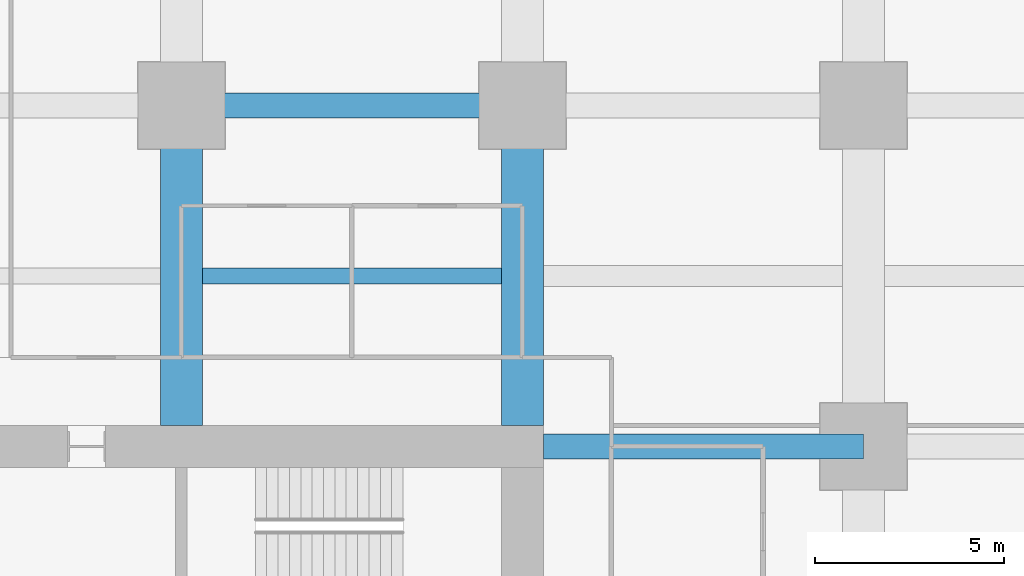
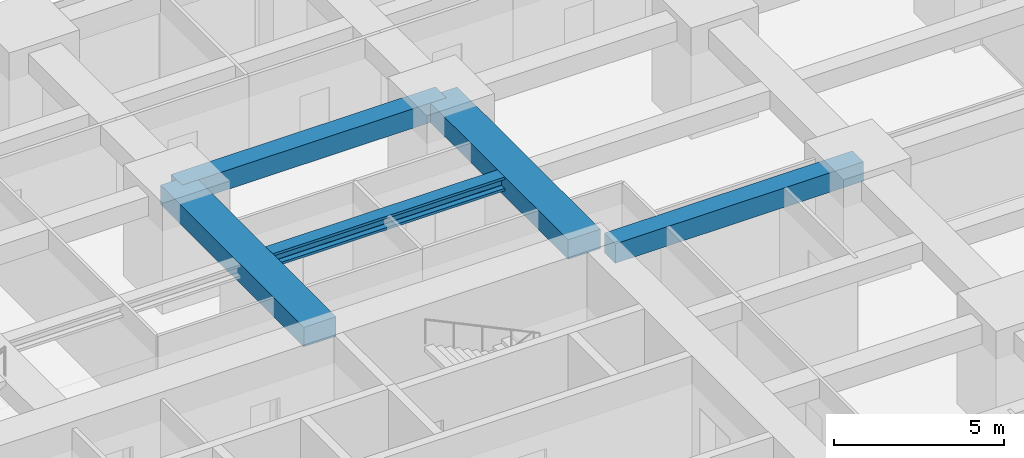
# One storey, part 31 of 45: 5 beams.
"""IFC4 building model written with IfcOpenShell, lengths in metres."""

from ifc_helpers import new_model, si_unit, direction, frame, origin, origin_2d, place, context, subcontext, project, spatial, rectangle, i_section, extrude, material, material_profile, profile_set, type_object, element, save


model = new_model("IFC4")

# Units and contexts
model_context = context("Model", 3, precision=1e-05, world=origin(), true_north=direction((0.0, 1.0)))
body_context = subcontext(model_context, "Body", "Model", "MODEL_VIEW")
ifc_project = project(units=[si_unit("LENGTHUNIT", "METRE"), si_unit("AREAUNIT", "SQUARE_METRE"), si_unit("VOLUMEUNIT", "CUBIC_METRE"), si_unit("PLANEANGLEUNIT", "RADIAN"), si_unit("MASSUNIT", "GRAM", prefix="KILO")], contexts=[model_context])

# Site, building, storey
site_placement = place(None, origin())
site = spatial("IfcSite", under=ifc_project, at=site_placement, CompositionType="ELEMENT")
building_placement = place(site_placement, origin())
building = spatial("IfcBuilding", under=site, at=building_placement, Name="Zorevar Civic Tower", CompositionType="ELEMENT")
storey_placement = place(building_placement, frame((0.0, 0.0, 39.800048828125)))
storey = spatial("IfcBuildingStorey", under=building, at=storey_placement, Name="L09", CompositionType="ELEMENT", Elevation=39.800048828125)

# Beams
ifc_material_1 = material(Name="Concrete C50/60", Category="concrete")
ifc_material_profile_1 = material_profile(ifc_material_1, rectangle(XDim=1.10009765625, YDim=0.699951171875, at=origin_2d()), Name="RC 1100x700")
ifc_profile_set_1 = profile_set([ifc_material_profile_1], Name="Concrete C50/60")
beam_type_1 = type_object("IfcBeamType", Name="Beam RC 1100x700", PredefinedType="BEAM", material=ifc_profile_set_1)
for number, where, z_axis, x_axis, name in (
    (1, (36.0, 36.550048828125, 3.39990234375), (0.0, 1.0, 0.0), (-1.0, 0.0, 0.0), "Girder L10"),
    (2, (45.0, 36.550048828125, 3.39990234375), (0.0, 1.0, 0.0), (-1.0, 0.0, 0.0), "Girder L10"),
):
    element("IfcBeam", number, at=place(storey_placement, frame(where, z_axis=z_axis, x_axis=x_axis)), inside=storey, type_object=beam_type_1, Name=name, PredefinedType="BEAM", context=body_context, shape_type="SweptSolid", body=[
        extrude(rectangle(XDim=1.10009765625, YDim=0.699951171875, at=origin_2d()), origin(), (0.0, 0.0, 1.0), 8.449951171875),
    ])
ifc_material_2 = material(Name="Concrete C50/60", Category="concrete")
ifc_material_profile_2 = material_profile(ifc_material_2, rectangle(XDim=0.64990234375, YDim=0.699951171875, at=origin_2d()), Name="RC 650x700")
ifc_profile_set_2 = profile_set([ifc_material_profile_2], Name="Concrete C50/60")
beam_type_2 = type_object("IfcBeamType", Name="Beam RC 650x700", PredefinedType="BEAM", material=ifc_profile_set_2)
beam_1_placement = place(storey_placement, frame((45.550048828125, 36.0, 3.39990234375), z_axis=(1.0, 0.0, 0.0), x_axis=(0.0, 1.0, 0.0)))
element("IfcBeam", 3, at=beam_1_placement, inside=storey, type_object=beam_type_2, Name="Girder L10", PredefinedType="BEAM", context=body_context, shape_type="SweptSolid", body=[
    extrude(rectangle(XDim=0.64990234375, YDim=0.699951171875, at=origin_2d()), origin(), (0.0, 0.0, 1.0), 8.449951171875),
])
beam_2_placement = place(storey_placement, frame((36.0, 45.0, 3.39990234375), z_axis=(1.0, 0.0, 0.0), x_axis=(0.0, 1.0, 0.0)))
element("IfcBeam", 4, at=beam_2_placement, inside=storey, type_object=beam_type_2, Name="Girder L10", PredefinedType="BEAM", context=body_context, shape_type="SweptSolid", body=[
    extrude(rectangle(XDim=0.64990234375, YDim=0.699951171875, at=origin_2d()), origin(), (0.0, 0.0, 1.0), 9.0),
])
ifc_material_3 = material(Name="Steel S460M (HISTAR 460)", Category="steel")
ifc_material_profile_3 = material_profile(ifc_material_3, i_section(OverallWidth=0.431884765625, OverallDepth=0.498046875, WebThickness=0.0556640625, FlangeThickness=0.0888671875, FilletRadius=0.014892578125, at=origin_2d()), Name="HD 400x744")
ifc_profile_set_3 = profile_set([ifc_material_profile_3], Name="Steel S460M (HISTAR 460)")
beam_type_3 = type_object("IfcBeamType", Name="Core bay beam HD 400x744", PredefinedType="BEAM", material=ifc_profile_set_3)
beam_3_placement = place(storey_placement, frame((36.550048828125, 40.5, 3.5009765625), z_axis=(1.0, 0.0, 0.0), x_axis=(0.0, 1.0, 0.0)))
element("IfcBeam", 5, at=beam_3_placement, inside=storey, type_object=beam_type_3, Name="Secondary beam L10", PredefinedType="BEAM", context=body_context, shape_type="SweptSolid", body=[
    extrude(i_section(OverallWidth=0.431884765625, OverallDepth=0.498046875, WebThickness=0.0556640625, FlangeThickness=0.0888671875, FilletRadius=0.014892578125, at=origin_2d()), origin(), (0.0, 0.0, 1.0), 7.89990234375),
])

save(model, "model.ifc")
